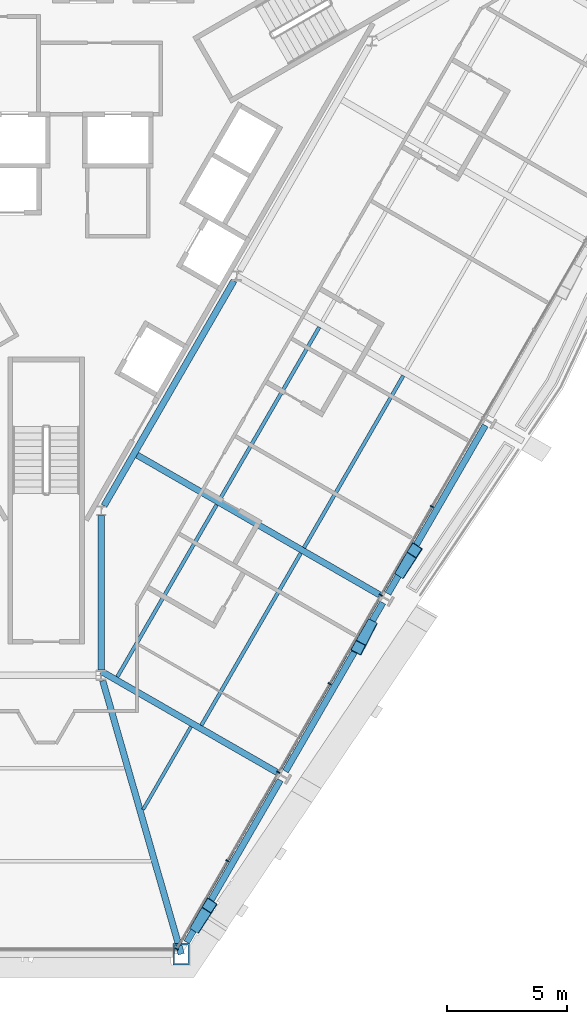
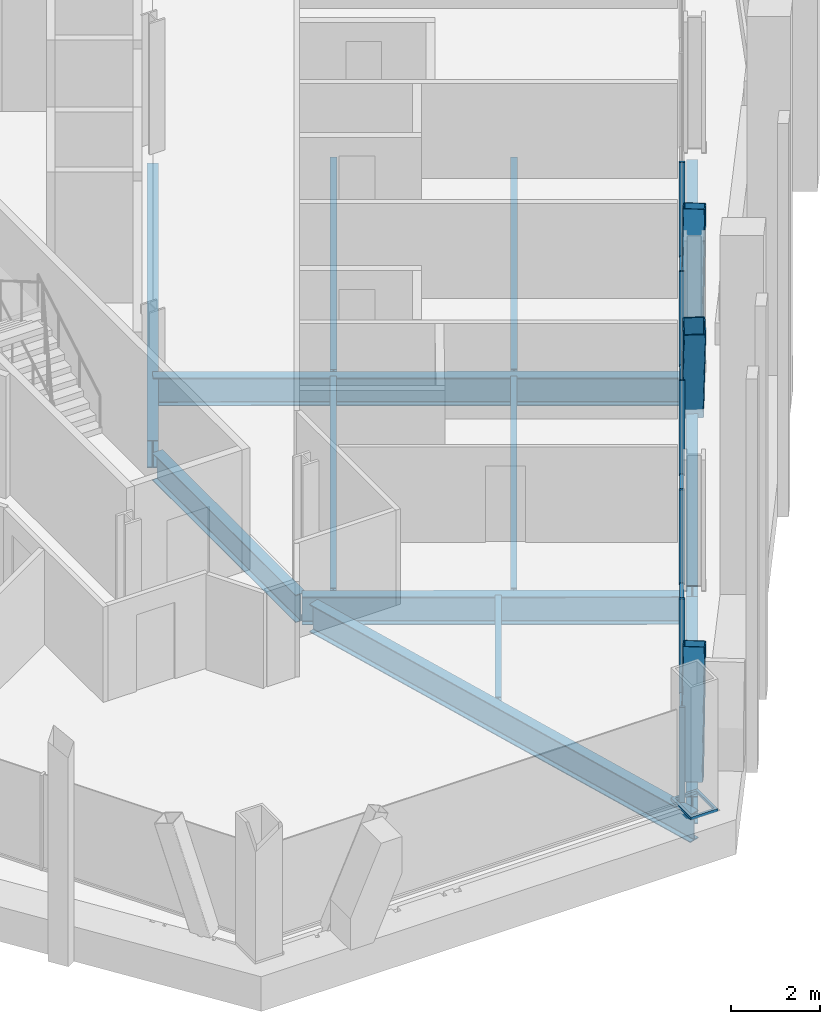
# One storey, part 5 of 21: 15 members, 13 beams, 1 element without a shape of its own.
"""IFC4 building model written with IfcOpenShell, lengths in metres."""

from ifc_helpers import new_model, si_unit, direction, frame, origin, origin_2d, place, context, subcontext, project, spatial, rectangle, hollow_rectangle, i_section, extrude, material, material_profile, profile_set, type_object, element, aggregate, save


model = new_model("IFC4")

# Units and contexts
model_context = context("Model", 3, precision=1e-05, world=origin(), true_north=direction((0.0, 1.0)))
body_context = subcontext(model_context, "Body", "Model", "MODEL_VIEW")
ifc_project = project(units=[si_unit("LENGTHUNIT", "METRE"), si_unit("AREAUNIT", "SQUARE_METRE"), si_unit("VOLUMEUNIT", "CUBIC_METRE"), si_unit("PLANEANGLEUNIT", "RADIAN"), si_unit("MASSUNIT", "GRAM", prefix="KILO")], contexts=[model_context])

# Site, building, storey
site_placement = place(None, origin())
site = spatial("IfcSite", under=ifc_project, at=site_placement, CompositionType="ELEMENT")
building_placement = place(site_placement, origin())
building = spatial("IfcBuilding", under=site, at=building_placement, Name="Verrane Prism Tower", CompositionType="ELEMENT")
storey_placement = place(building_placement, frame((0.0, 0.0, 65.60009765625)))
storey = spatial("IfcBuildingStorey", under=building, at=storey_placement, Name="L14", CompositionType="ELEMENT", Elevation=65.60009765625)

# Beams
ifc_material_1 = material(Name="Steel A992", Category="steel")
ifc_material_profile_1 = material_profile(ifc_material_1, i_section(OverallWidth=0.2666015625, OverallDepth=0.7568359375, WebThickness=0.013916015625, FlangeThickness=0.019287109375, FilletRadius=0.0166015625, at=origin_2d()), Name="W30x108")
ifc_profile_set_1 = profile_set([ifc_material_profile_1], Name="Steel A992")
beam_type_1 = type_object("IfcBeamType", Name="Core ring girder W30x108", PredefinedType="BEAM", material=ifc_profile_set_1)
beam_1_placement = place(storey_placement, frame((2.300048828125, -21.07275390625, -0.628662109375), z_axis=(0.0, 1.0, 0.0), x_axis=(-1.0, 0.0, 0.0)))
element("IfcBeam", 1, at=beam_1_placement, inside=storey, type_object=beam_type_1, Name="Core ring girder L14", PredefinedType="BEAM", context=body_context, shape_type="SweptSolid", body=[
    extrude(i_section(OverallWidth=0.2666015625, OverallDepth=0.7568359375, WebThickness=0.013916015625, FlangeThickness=0.019287109375, FilletRadius=0.0166015625, at=origin_2d()), origin(), (0.0, 0.0, 1.0), 6.4443359375),
])
beam_2_placement = place(storey_placement, frame((2.42041015625, -14.211669921875, -0.628662109375), z_axis=(0.500013103396, 0.866017838403, 0.0), x_axis=(-0.866017838403, 0.500013103396, 0.0)))
element("IfcBeam", 2, at=beam_2_placement, inside=storey, type_object=beam_type_1, Name="Core ring girder L14", PredefinedType="BEAM", context=body_context, shape_type="SweptSolid", body=[
    extrude(i_section(OverallWidth=0.2666015625, OverallDepth=0.7568359375, WebThickness=0.013916015625, FlangeThickness=0.019287109375, FilletRadius=0.0166015625, at=origin_2d()), origin(), (0.0, 0.0, 1.0), 10.858154296875),
])
ifc_material_2 = material(Name="Steel A992", Category="steel")
ifc_material_profile_2 = material_profile(ifc_material_2, i_section(OverallWidth=0.2666015625, OverallDepth=0.76708984375, WebThickness=0.014892578125, FlangeThickness=0.023681640625, FilletRadius=0.0166015625, at=origin_2d()), Name="W30x124")
ifc_profile_set_2 = profile_set([ifc_material_profile_2], Name="Steel A992")
beam_type_2 = type_object("IfcBeamType", Name="Corner girder W30x124", PredefinedType="BEAM", material=ifc_profile_set_2)
beam_3_placement = place(storey_placement, frame((5.64892578125, -32.956298828125, -0.603515625), z_axis=(-0.276141726937, 0.961116926625, 0.0), x_axis=(-0.961116926625, -0.276141726937, 0.0)))
element("IfcBeam", 3, at=beam_3_placement, inside=storey, type_object=beam_type_2, Name="Corner girder L14", PredefinedType="BEAM", context=body_context, shape_type="SweptSolid", body=[
    extrude(i_section(OverallWidth=0.2666015625, OverallDepth=0.76708984375, WebThickness=0.014892578125, FlangeThickness=0.023681640625, FilletRadius=0.0166015625, at=origin_2d()), origin(), (0.0, 0.0, 1.0), 11.891357421875),
])

# Members
ifc_material_3 = material(Name="Steel A1085 Grade A", Category="steel")
ifc_material_profile_3 = material_profile(ifc_material_3, hollow_rectangle(XDim=0.508056640625, YDim=0.508056640625, WallThickness=0.025390625, InnerFilletRadius=0.0126953125, OuterFilletRadius=0.0380859375, at=origin_2d()), Name="HSS20x20x1")
ifc_profile_set_3 = profile_set([ifc_material_profile_3], Name="Steel A1085 Grade A")
member_type_1 = type_object("IfcMemberType", Name="Facade brace HSS20x20x1", PredefinedType="BRACE", material=ifc_profile_set_3)
member_1_placement = place(storey_placement, frame((6.279541015625, -31.76513671875, -0.24267578125), z_axis=(0.171660189078, 0.264921960712, 0.948867290098), x_axis=(-0.839223086477, 0.543787284813, 0.0)))
element("IfcMember", 4, at=member_1_placement, inside=storey, type_object=member_type_1, Name="Facade brace SE0 L14", PredefinedType="BRACE", context=body_context, shape_type="SweptSolid", body=[
    extrude(hollow_rectangle(XDim=0.508056640625, YDim=0.508056640625, WallThickness=0.025390625, InnerFilletRadius=0.0126953125, OuterFilletRadius=0.0380859375, at=origin_2d()), origin(), (0.0, 0.0, 1.0), 3.170166015625),
])
member_2_placement = place(storey_placement, frame((13.51806640625, -19.224365234375, -0.24267578125), z_axis=(-0.148660881404, -0.289339970517, 0.945612142372), x_axis=(0.889465940848, -0.45700146616, 0.0)))
element("IfcMember", 5, at=member_2_placement, inside=storey, type_object=member_type_1, Name="Facade brace SE1 L14", PredefinedType="BRACE", context=body_context, shape_type="SweptSolid", body=[
    extrude(hollow_rectangle(XDim=0.508056640625, YDim=0.508056640625, WallThickness=0.025390625, InnerFilletRadius=0.0126953125, OuterFilletRadius=0.0380859375, at=origin_2d()), origin(), (0.0, 0.0, 1.0), 3.18115234375),
])
member_3_placement = place(storey_placement, frame((14.84326171875, -16.930908203125, -0.24267578125), z_axis=(0.173985213801, 0.269088929873, 0.947269915704), x_axis=(-0.839756785224, 0.542962744275, 0.0)))
element("IfcMember", 6, at=member_3_placement, inside=storey, type_object=member_type_1, Name="Facade brace SE2 L14", PredefinedType="BRACE", context=body_context, shape_type="SweptSolid", body=[
    extrude(hollow_rectangle(XDim=0.508056640625, YDim=0.508056640625, WallThickness=0.025390625, InnerFilletRadius=0.0126953125, OuterFilletRadius=0.0380859375, at=origin_2d()), origin(), (0.0, 0.0, 1.0), 3.175537109375),
])

# Beams
ifc_material_4 = material(Name="Steel A992", Category="steel")
ifc_material_profile_4 = material_profile(ifc_material_4, i_section(OverallWidth=0.140380859375, OverallDepth=0.40380859375, WebThickness=0.007080078125, FlangeThickness=0.01123046875, FilletRadius=0.01025390625, at=origin_2d()), Name="W16x31")
ifc_profile_set_4 = profile_set([ifc_material_profile_4], Name="Steel A992")
beam_type_3 = type_object("IfcBeamType", Name="Floor beam W16x31", PredefinedType="BEAM", material=ifc_profile_set_4)
beam_4_placement = place(storey_placement, frame((4.051513671875, -26.91259765625, -0.362060546875), z_axis=(0.499995658264, 0.866027910472, 0.0), x_axis=(-0.866027910472, 0.499995658264, 0.0)))
element("IfcBeam", 7, at=beam_4_placement, inside=storey, type_object=beam_type_3, Name="Floor beam L14", PredefinedType="BEAM", context=body_context, shape_type="SweptSolid", body=[
    extrude(i_section(OverallWidth=0.140380859375, OverallDepth=0.40380859375, WebThickness=0.007080078125, FlangeThickness=0.01123046875, FilletRadius=0.01025390625, at=origin_2d()), origin(), (0.0, 0.0, 1.0), 3.99658203125),
])
ifc_material_5 = material(Name="Steel A992", Category="steel")
ifc_material_profile_5 = material_profile(ifc_material_5, i_section(OverallWidth=0.15234375, OverallDepth=0.449462890625, WebThickness=0.007568359375, FlangeThickness=0.0107421875, FilletRadius=0.01025390625, at=origin_2d()), Name="W18x35")
ifc_profile_set_5 = profile_set([ifc_material_profile_5], Name="Steel A992")
beam_type_4 = type_object("IfcBeamType", Name="Floor beam W18x35", PredefinedType="BEAM", material=ifc_profile_set_5)
beam_5_placement = place(storey_placement, frame((6.4853515625, -23.394775390625, -0.385009765625), z_axis=(0.50000392623, 0.866023136963, 0.0), x_axis=(-0.866023136963, 0.50000392623, 0.0)))
element("IfcBeam", 8, at=beam_5_placement, inside=storey, type_object=beam_type_4, Name="Floor beam L14", PredefinedType="BEAM", context=body_context, shape_type="SweptSolid", body=[
    extrude(i_section(OverallWidth=0.15234375, OverallDepth=0.449462890625, WebThickness=0.007568359375, FlangeThickness=0.0107421875, FilletRadius=0.01025390625, at=origin_2d()), origin(), (0.0, 0.0, 1.0), 8.30908203125),
])
beam_6_placement = place(storey_placement, frame((2.9736328125, -21.365234375, -0.385009765625), z_axis=(0.499989616998, 0.866031398331, 0.0), x_axis=(-0.866031398331, 0.499989616998, 0.0)))
element("IfcBeam", 9, at=beam_6_placement, inside=storey, type_object=beam_type_4, Name="Floor beam L14", PredefinedType="BEAM", context=body_context, shape_type="SweptSolid", body=[
    extrude(i_section(OverallWidth=0.15234375, OverallDepth=0.449462890625, WebThickness=0.007568359375, FlangeThickness=0.0107421875, FilletRadius=0.01025390625, at=origin_2d()), origin(), (0.0, 0.0, 1.0), 8.305908203125),
])
beam_7_placement = place(storey_placement, frame((10.7763671875, -15.969482421875, -0.385009765625), z_axis=(0.499995524547, 0.866027987673, 0.0), x_axis=(-0.866027987673, 0.499995524547, 0.0)))
element("IfcBeam", 10, at=beam_7_placement, inside=storey, type_object=beam_type_4, Name="Floor beam L14", PredefinedType="BEAM", context=body_context, shape_type="SweptSolid", body=[
    extrude(i_section(OverallWidth=0.15234375, OverallDepth=0.449462890625, WebThickness=0.007568359375, FlangeThickness=0.0107421875, FilletRadius=0.01025390625, at=origin_2d()), origin(), (0.0, 0.0, 1.0), 8.306640625),
])
beam_8_placement = place(storey_placement, frame((7.26171875, -13.94189453125, -0.385009765625), z_axis=(0.500000517071, 0.866025105253, 0.0), x_axis=(-0.866025105253, 0.500000517071, 0.0)))
element("IfcBeam", 11, at=beam_8_placement, inside=storey, type_object=beam_type_4, Name="Floor beam L14", PredefinedType="BEAM", context=body_context, shape_type="SweptSolid", body=[
    extrude(i_section(OverallWidth=0.15234375, OverallDepth=0.449462890625, WebThickness=0.007568359375, FlangeThickness=0.0107421875, FilletRadius=0.01025390625, at=origin_2d()), origin(), (0.0, 0.0, 1.0), 8.3095703125),
])

# Member
ifc_material_6 = material(Name="Steel A572 Grade 50", Category="steel")
ifc_material_profile_6 = material_profile(ifc_material_6, hollow_rectangle(XDim=0.699951171875, YDim=0.89990234375, WallThickness=0.06494140625, at=origin_2d()), Name="BOX 900x700x65")
ifc_profile_set_6 = profile_set([ifc_material_profile_6], Name="Steel A572 Grade 50")
member_type_2 = type_object("IfcMemberType", Name="Kink node BOX 900x700x65", PredefinedType="COLLAR", material=ifc_profile_set_6)
member_4_placement = place(storey_placement, frame((5.64892578125, -32.958251953125, -0.0400390625), z_axis=(0.0, 0.0, 1.0), x_axis=(-1.0, 0.0, 0.0)))
element("IfcMember", 12, at=member_4_placement, inside=storey, type_object=member_type_2, Name="Kink node MC3 L14", PredefinedType="COLLAR", context=body_context, shape_type="SweptSolid", body=[
    extrude(hollow_rectangle(XDim=0.699951171875, YDim=0.89990234375, WallThickness=0.06494140625, at=origin_2d()), origin(), (0.0, 0.0, 1.0), 0.079833984375),
])

# Curtain wall, members
ifc_material_7 = material(Name="Aluminium framed insulated glazing", Category="aluminium")
curtain_wall_type = type_object("IfcCurtainWallType", Name="Curtain wall CW-C 4200 module", PredefinedType="NOTDEFINED", material=ifc_material_7)
curtain_wall_placement = place(storey_placement, origin())
curtain_wall = element("IfcCurtainWall", 13, at=curtain_wall_placement, inside=storey, type_object=curtain_wall_type, Name="Glazed curtain wall south-east face L14", PredefinedType="NOTDEFINED")
ifc_material_8 = material(Name="Aluminium alloy 6063-T6", Category="aluminium")
ifc_material_profile_7 = material_profile(ifc_material_8, rectangle(XDim=0.139892578125, YDim=0.050048828125, at=origin_2d()), Name="Mullion 50x140 aluminium")
ifc_profile_set_7 = profile_set([ifc_material_profile_7], Name="Aluminium alloy 6063-T6")
member_type_3 = type_object("IfcMemberType", Name="Mullion 50x140 aluminium", PredefinedType="MULLION", material=ifc_profile_set_7)
member_5_placement = place(storey_placement, frame((5.453369140625, -32.736328125, 0.0), z_axis=(0.0, 0.0, 1.0), x_axis=(-0.866025283147, 0.50000020895, 0.0)))
member_5 = element("IfcMember", 14, at=member_5_placement, type_object=member_type_3, Name="CW14.6 mullion 1", PredefinedType="MULLION", context=body_context, shape_type="SweptSolid", body=[
    extrude(rectangle(XDim=0.139892578125, YDim=0.050048828125, at=origin_2d()), origin(), (0.0, 0.0, 1.0), 2.61279296875),
])
member_6_placement = place(storey_placement, frame((7.578369140625, -29.055908203125, 0.0), z_axis=(0.0, 0.0, 1.0), x_axis=(-0.866025283147, 0.50000020895, 0.0)))
member_6 = element("IfcMember", 15, at=member_6_placement, type_object=member_type_3, Name="CW14.6 mullion 2", PredefinedType="MULLION", context=body_context, shape_type="SweptSolid", body=[
    extrude(rectangle(XDim=0.139892578125, YDim=0.050048828125, at=origin_2d()), origin(), (0.0, 0.0, 1.0), 2.61279296875),
])
member_7_placement = place(storey_placement, frame((9.7158203125, -25.353759765625, 0.0), z_axis=(0.0, 0.0, 1.0), x_axis=(-0.866025283147, 0.50000020895, 0.0)))
member_7 = element("IfcMember", 16, at=member_7_placement, type_object=member_type_3, Name="CW14.6 mullion 3", PredefinedType="MULLION", context=body_context, shape_type="SweptSolid", body=[
    extrude(rectangle(XDim=0.139892578125, YDim=0.050048828125, at=origin_2d()), origin(), (0.0, 0.0, 1.0), 2.61279296875),
])
member_8_placement = place(storey_placement, frame((11.85302734375, -21.65185546875, 0.0), z_axis=(0.0, 0.0, 1.0), x_axis=(-0.866025283147, 0.50000020895, 0.0)))
member_8 = element("IfcMember", 17, at=member_8_placement, type_object=member_type_3, Name="CW14.6 mullion 4", PredefinedType="MULLION", context=body_context, shape_type="SweptSolid", body=[
    extrude(rectangle(XDim=0.139892578125, YDim=0.050048828125, at=origin_2d()), origin(), (0.0, 0.0, 1.0), 2.61279296875),
])
member_9_placement = place(storey_placement, frame((13.990478515625, -17.94970703125, 0.0), z_axis=(0.0, 0.0, 1.0), x_axis=(-0.866025283147, 0.50000020895, 0.0)))
member_9 = element("IfcMember", 18, at=member_9_placement, type_object=member_type_3, Name="CW14.6 mullion 5", PredefinedType="MULLION", context=body_context, shape_type="SweptSolid", body=[
    extrude(rectangle(XDim=0.139892578125, YDim=0.050048828125, at=origin_2d()), origin(), (0.0, 0.0, 1.0), 2.61279296875),
])
member_10_placement = place(storey_placement, frame((16.1279296875, -14.24755859375, 0.0), z_axis=(0.0, 0.0, 1.0), x_axis=(-0.866025283147, 0.50000020895, 0.0)))
member_10 = element("IfcMember", 19, at=member_10_placement, type_object=member_type_3, Name="CW14.6 mullion 6", PredefinedType="MULLION", context=body_context, shape_type="SweptSolid", body=[
    extrude(rectangle(XDim=0.139892578125, YDim=0.050048828125, at=origin_2d()), origin(), (0.0, 0.0, 1.0), 2.61279296875),
])

# Beams
ifc_material_9 = material(Name="Steel A992", Category="steel")
ifc_material_profile_8 = material_profile(ifc_material_9, i_section(OverallWidth=0.2666015625, OverallDepth=0.76708984375, WebThickness=0.014892578125, FlangeThickness=0.023681640625, FilletRadius=0.0166015625, at=origin_2d()), Name="W30x124")
ifc_profile_set_8 = profile_set([ifc_material_profile_8], Name="Steel A992")
beam_type_5 = type_object("IfcBeamType", Name="Radial girder W30x124", PredefinedType="BEAM", material=ifc_profile_set_8)
beam_9_placement = place(storey_placement, frame((9.680419921875, -25.373779296875, -0.603515625), z_axis=(-0.867144817989, 0.498056085833, 0.0), x_axis=(-0.498056085833, -0.867144817989, 0.0)))
element("IfcBeam", 20, at=beam_9_placement, inside=storey, type_object=beam_type_5, Name="Radial girder L14", PredefinedType="BEAM", context=body_context, shape_type="SweptSolid", body=[
    extrude(i_section(OverallWidth=0.2666015625, OverallDepth=0.76708984375, WebThickness=0.014892578125, FlangeThickness=0.023681640625, FilletRadius=0.0166015625, at=origin_2d()), origin(), (0.0, 0.0, 1.0), 8.51123046875),
])
beam_10_placement = place(storey_placement, frame((13.96533203125, -17.951904296875, -0.603515625), z_axis=(-0.866420764086, 0.499314589773, 0.0), x_axis=(-0.499314589773, -0.866420764086, 0.0)))
element("IfcBeam", 21, at=beam_10_placement, inside=storey, type_object=beam_type_5, Name="Radial girder L14", PredefinedType="BEAM", context=body_context, shape_type="SweptSolid", body=[
    extrude(i_section(OverallWidth=0.2666015625, OverallDepth=0.76708984375, WebThickness=0.014892578125, FlangeThickness=0.023681640625, FilletRadius=0.0166015625, at=origin_2d()), origin(), (0.0, 0.0, 1.0), 11.868408203125),
])
ifc_material_10 = material(Name="Steel A992", Category="steel")
ifc_material_profile_9 = material_profile(ifc_material_10, i_section(OverallWidth=0.2666015625, OverallDepth=0.7568359375, WebThickness=0.013916015625, FlangeThickness=0.019287109375, FilletRadius=0.0166015625, at=origin_2d()), Name="W30x108")
ifc_profile_set_9 = profile_set([ifc_material_profile_9], Name="Steel A992")
beam_type_6 = type_object("IfcBeamType", Name="Spandrel beam W30x108", PredefinedType="SPANDREL", material=ifc_profile_set_9)
beam_11_placement = place(storey_placement, frame((5.879150390625, -32.459228515625, -0.53857421875), z_axis=(0.499781902682, 0.866151285718, 0.0), x_axis=(-0.866151285718, 0.499781902682, 0.0)))
element("IfcBeam", 22, at=beam_11_placement, inside=storey, type_object=beam_type_6, Name="Spandrel beam L14", PredefinedType="SPANDREL", context=body_context, shape_type="SweptSolid", body=[
    extrude(i_section(OverallWidth=0.2666015625, OverallDepth=0.7568359375, WebThickness=0.013916015625, FlangeThickness=0.019287109375, FilletRadius=0.0166015625, at=origin_2d()), origin(), (0.0, 0.0, 1.0), 7.8212890625),
])
beam_12_placement = place(storey_placement, frame((10.004150390625, -25.310791015625, -0.53857421875), z_axis=(0.499991669817, 0.866030213165, 0.0), x_axis=(-0.866030213165, 0.499991669817, 0.0)))
element("IfcBeam", 23, at=beam_12_placement, inside=storey, type_object=beam_type_6, Name="Spandrel beam L14", PredefinedType="SPANDREL", context=body_context, shape_type="SweptSolid", body=[
    extrude(i_section(OverallWidth=0.2666015625, OverallDepth=0.7568359375, WebThickness=0.013916015625, FlangeThickness=0.019287109375, FilletRadius=0.0166015625, at=origin_2d()), origin(), (0.0, 0.0, 1.0), 8.137939453125),
])
beam_13_placement = place(storey_placement, frame((14.2890625, -17.88916015625, -0.53857421875), z_axis=(0.500524755063, 0.865722224255, 0.0), x_axis=(-0.865722224255, 0.500524755063, 0.0)))
element("IfcBeam", 24, at=beam_13_placement, inside=storey, type_object=beam_type_6, Name="Spandrel beam L14", PredefinedType="SPANDREL", context=body_context, shape_type="SweptSolid", body=[
    extrude(i_section(OverallWidth=0.2666015625, OverallDepth=0.7568359375, WebThickness=0.013916015625, FlangeThickness=0.019287109375, FilletRadius=0.0166015625, at=origin_2d()), origin(), (0.0, 0.0, 1.0), 8.129150390625),
])

# Member
ifc_material_11 = material(Name="Aluminium alloy 6063-T6", Category="aluminium")
ifc_material_profile_10 = material_profile(ifc_material_11, rectangle(XDim=0.10009765625, YDim=0.050048828125, at=origin_2d()), Name="Transom 50x100 aluminium")
ifc_profile_set_10 = profile_set([ifc_material_profile_10], Name="Aluminium alloy 6063-T6")
member_type_4 = type_object("IfcMemberType", Name="Transom 50x100 aluminium", PredefinedType="USERDEFINED", material=ifc_profile_set_10)
member_11_placement = place(storey_placement, frame((5.4658203125, -32.714599609375, 0.02490234375), z_axis=(0.500052886544, 0.865994867571, 0.0), x_axis=(-0.865994867571, 0.500052886544, 0.0)))
member_11 = element("IfcMember", 25, at=member_11_placement, type_object=member_type_4, Name="CW14.6 transom 1", ObjectType="TRANSOM", PredefinedType="USERDEFINED", context=body_context, shape_type="SweptSolid", body=[
    extrude(rectangle(XDim=0.10009765625, YDim=0.050048828125, at=origin_2d()), origin(), (0.0, 0.0, 1.0), 4.19970703125),
])

member_12_placement = place(storey_placement, frame((7.5908203125, -29.0341796875, 0.02490234375), z_axis=(0.499992582699, 0.866029686123, 0.0), x_axis=(-0.866029686123, 0.499992582699, 0.0)))
member_12 = element("IfcMember", 26, at=member_12_placement, type_object=member_type_4, Name="CW14.6 transom 2", ObjectType="TRANSOM", PredefinedType="USERDEFINED", context=body_context, shape_type="SweptSolid", body=[
    extrude(rectangle(XDim=0.10009765625, YDim=0.050048828125, at=origin_2d()), origin(), (0.0, 0.0, 1.0), 4.224609375),
])

member_13_placement = place(storey_placement, frame((9.728271484375, -25.332275390625, 0.02490234375), z_axis=(0.499967560512, 0.866044131922, 0.0), x_axis=(-0.866044131922, 0.499967560512, 0.0)))
member_13 = element("IfcMember", 27, at=member_13_placement, type_object=member_type_4, Name="CW14.6 transom 3", ObjectType="TRANSOM", PredefinedType="USERDEFINED", context=body_context, shape_type="SweptSolid", body=[
    extrude(rectangle(XDim=0.10009765625, YDim=0.050048828125, at=origin_2d()), origin(), (0.0, 0.0, 1.0), 4.224853515625),
])

member_14_placement = place(storey_placement, frame((11.865478515625, -21.630126953125, 0.02490234375), z_axis=(0.500035923186, 0.86600466253, 0.0), x_axis=(-0.86600466253, 0.500035923186, 0.0)))
member_14 = element("IfcMember", 28, at=member_14_placement, type_object=member_type_4, Name="CW14.6 transom 4", ObjectType="TRANSOM", PredefinedType="USERDEFINED", context=body_context, shape_type="SweptSolid", body=[
    extrude(rectangle(XDim=0.10009765625, YDim=0.050048828125, at=origin_2d()), origin(), (0.0, 0.0, 1.0), 4.224853515625),
])

member_15_placement = place(storey_placement, frame((14.0029296875, -17.927978515625, 0.02490234375), z_axis=(0.500035923186, 0.86600466253, 0.0), x_axis=(-0.86600466253, 0.500035923186, 0.0)))
member_15 = element("IfcMember", 29, at=member_15_placement, type_object=member_type_4, Name="CW14.6 transom 5", ObjectType="TRANSOM", PredefinedType="USERDEFINED", context=body_context, shape_type="SweptSolid", body=[
    extrude(rectangle(XDim=0.10009765625, YDim=0.050048828125, at=origin_2d()), origin(), (0.0, 0.0, 1.0), 4.224853515625),
])

aggregate(curtain_wall, [member_5, member_6, member_7, member_8, member_9, member_10, member_11, member_12, member_13, member_14, member_15])

save(model, "model.ifc")
